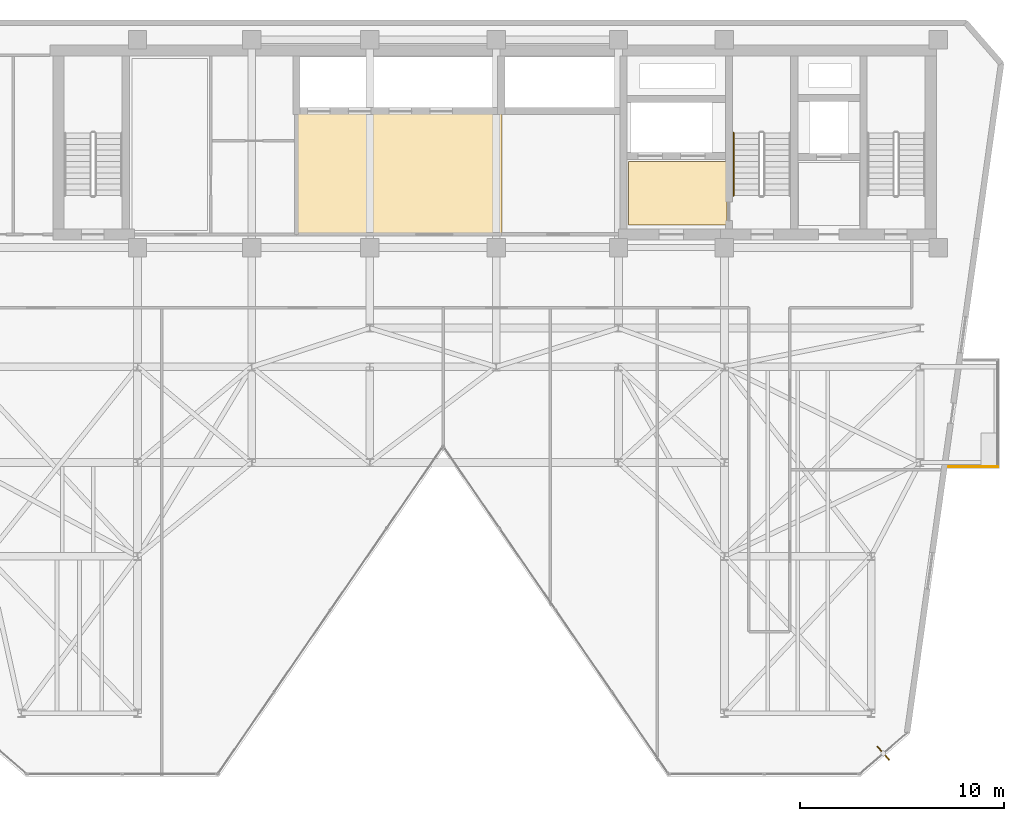
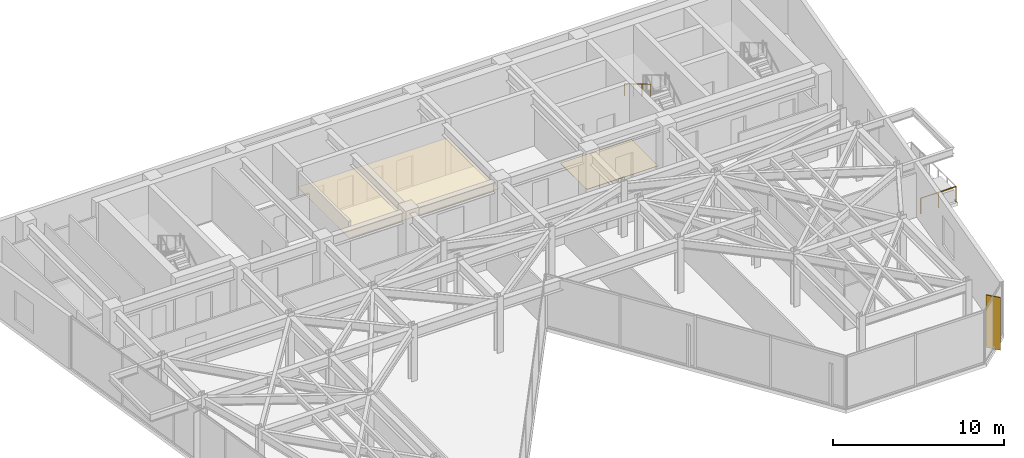
# One storey, part 26 of 27: 2 coverings, 2 railings, 1 shading device.
"""IFC4 building model written with IfcOpenShell, lengths in metres."""

from ifc_helpers import new_model, si_unit, direction, frame, origin, origin_2d, place, context, subcontext, project, spatial, polyline, rectangle, circle, outline, extrude, material, layer, layer_set, type_object, element, save


model = new_model("IFC4")

# Units and contexts
model_context = context("Model", 3, precision=1e-05, world=origin(), true_north=direction((0.0, 1.0)))
body_context = subcontext(model_context, "Body", "Model", "MODEL_VIEW")
ifc_project = project(units=[si_unit("LENGTHUNIT", "METRE"), si_unit("AREAUNIT", "SQUARE_METRE"), si_unit("VOLUMEUNIT", "CUBIC_METRE"), si_unit("PLANEANGLEUNIT", "RADIAN"), si_unit("MASSUNIT", "GRAM", prefix="KILO")], contexts=[model_context])

# Site, building, storey
site_placement = place(None, origin())
site = spatial("IfcSite", under=ifc_project, at=site_placement, CompositionType="ELEMENT")
building_placement = place(site_placement, origin())
building = spatial("IfcBuilding", under=site, at=building_placement, Name="Kravanh Interchange Tower", CompositionType="ELEMENT")
storey_placement = place(building_placement, frame((0.0, 0.0, 196.5)))
storey = spatial("IfcBuildingStorey", under=building, at=storey_placement, Name="L47", CompositionType="ELEMENT", Elevation=196.5)

# Coverings
ifc_material_1 = material(Name="Cementitious Terrazzo Tile")
ifc_layer_1 = layer(ifc_material_1, 0.030029296875)
ifc_layer_set_1 = layer_set([ifc_layer_1], Name="Honed Terrazzo Lobby Flooring 30mm")
covering_type_1 = type_object("IfcCoveringType", Name="Honed Terrazzo Lobby Flooring 30mm", PredefinedType="FLOORING", material=ifc_layer_set_1)
covering_1_placement = place(storey_placement, origin())
element("IfcCovering", 1, at=covering_1_placement, inside=storey, type_object=covering_type_1, Name="L47 Firefighting Lobby Floor Finish", PredefinedType="FLOORING", context=body_context, shape_type="SweptSolid", body=[
    extrude(outline(polyline([(56.1201171875, 38.4599609375), (51.300048828125, 38.4599609375), (51.300048828125, 41.580078125), (56.1201171875, 41.580078125), (56.1201171875, 38.4599609375)])), origin(), (0.0, 0.0, 1.0), 0.030029296875),
])
ifc_material_2 = material(Name="Acoustic Mineral Fibre Tile on Aluminium Grid", Category="aluminium")
ifc_layer_2 = layer(ifc_material_2, 0.02490234375)
ifc_layer_set_2 = layer_set([ifc_layer_2], Name="Perforated Acoustic Mineral Ceiling 25mm")
covering_type_2 = type_object("IfcCoveringType", Name="Perforated Acoustic Mineral Ceiling 25mm", PredefinedType="CEILING", material=ifc_layer_set_2)
covering_2_placement = place(storey_placement, frame((0.0, 0.0, 2.550048828125)))
element("IfcCovering", 2, at=covering_2_placement, inside=storey, type_object=covering_type_2, Name="L47 Mid-Rise Lift Lobby Suspended Ceiling", PredefinedType="CEILING", context=body_context, shape_type="SweptSolid", body=[
    extrude(outline(polyline([(45.090087890625, 37.9599609375), (34.93994140625, 37.9599609375), (34.93994140625, 43.989990234375), (45.090087890625, 43.989990234375), (45.090087890625, 37.9599609375)])), origin(), (0.0, 0.0, 1.0), 0.02490234375),
])

# Railings
ifc_material_3 = material(Name="Stainless Steel 316", Category="steel")
ifc_layer_3 = layer(ifc_material_3, 0.06005859375)
ifc_layer_set_3 = layer_set([ifc_layer_3], Name="Perimeter Balcony and Terrace Guardrail Stainless 316 1120mm")
railing_type_1 = type_object("IfcRailingType", Name="Perimeter Balcony and Terrace Guardrail Stainless 316 1120mm", PredefinedType="GUARDRAIL", material=ifc_layer_set_3)
railing_1_placement = place(storey_placement, frame((69.409912109375, 26.590087890625, 0.0)))
element("IfcRailing", 3, at=railing_1_placement, inside=storey, type_object=railing_type_1, Name="L47 E Balcony Guardrail 2", PredefinedType="GUARDRAIL", context=body_context, shape_type="SweptSolid", body=[
    extrude(circle(Radius=0.02392578125, at=origin_2d()), frame((0.0, 0.0, 1.09619140625), z_axis=(-1.0, 0.0, 0.0), x_axis=(0.0, -1.0, 0.0)), (0.0, 0.0, 1.0), 2.393310546875),
    extrude(circle(Radius=0.02099609375, at=origin_2d()), origin(), (0.0, 0.0, 1.0), 1.072021484375),
    extrude(circle(Radius=0.02099609375, at=origin_2d()), frame((-1.19677734375, 0.0, 0.0)), (0.0, 0.0, 1.0), 1.072021484375),
    extrude(circle(Radius=0.02099609375, at=origin_2d()), frame((-2.393310546875, 0.0, 0.0)), (0.0, 0.0, 1.0), 1.072021484375),
])
ifc_material_4 = material(Name="Stainless Steel 304", Category="steel")
ifc_layer_4 = layer(ifc_material_4, 0.044921875)
ifc_layer_set_4 = layer_set([ifc_layer_4], Name="Tubular Stair Handrail Stainless 304 900mm")
railing_type_2 = type_object("IfcRailingType", Name="Tubular Stair Handrail Stainless 304 900mm", PredefinedType="HANDRAIL", material=ifc_layer_set_4)
railing_2_placement = place(storey_placement, frame((56.449951171875, 42.97998046875, 2.166748046875)))
element("IfcRailing", 4, at=railing_2_placement, inside=storey, type_object=railing_type_2, Name="L47 ST2 stair handrail 2", PredefinedType="HANDRAIL", context=body_context, shape_type="SweptSolid", body=[
    extrude(circle(Radius=0.02392578125, at=origin_2d()), frame((0.0, 0.0, 0.8759765625), z_axis=(0.0, -0.859308565015, 0.511457515432), x_axis=(1.0, 0.0, 0.0)), (0.0, 0.0, 1.0), 3.58447265625),
    extrude(circle(Radius=0.02099609375, at=origin_2d()), origin(), (0.0, 0.0, 1.0), 0.851806640625),
    extrude(circle(Radius=0.02099609375, at=origin_2d()), frame((0.0, -1.026611328125, 0.611083984375)), (0.0, 0.0, 1.0), 0.851806640625),
    extrude(circle(Radius=0.02099609375, at=origin_2d()), frame((0.0, -2.053466796875, 1.22216796875)), (0.0, 0.0, 1.0), 0.851806640625),
    extrude(circle(Radius=0.02099609375, at=origin_2d()), frame((0.0, -3.080078125, 1.833251953125)), (0.0, 0.0, 1.0), 0.851806640625),
])

# Shading device
ifc_material_5 = material(Name="Anodised Champagne Bronze Aluminium", Category="aluminium")
ifc_layer_5 = layer(ifc_material_5, 0.06005859375)
ifc_layer_set_5 = layer_set([ifc_layer_5], Name="Vertical Bronze Solar Fin 900mm")
shading_device_type = type_object("IfcShadingDeviceType", Name="Vertical Bronze Solar Fin 900mm", PredefinedType="USERDEFINED", material=ifc_layer_set_5)
shading_device_placement = place(storey_placement, frame((63.80322265625, 12.530517578125, 0.0), z_axis=(0.0, 0.0, 1.0), x_axis=(0.656059988016, -0.754708746554, 0.0)))
element("IfcShadingDevice", 5, at=shading_device_placement, inside=storey, type_object=shading_device_type, Name="L47 BRONZE SOLAR FIN 2", ObjectType="FIN", PredefinedType="USERDEFINED", context=body_context, shape_type="SweptSolid", body=[
    extrude(rectangle(XDim=0.89990234375, YDim=0.06005859375, at=origin_2d()), origin(), (0.0, 0.0, 1.0), 3.7548828125),
])

save(model, "model.ifc")
